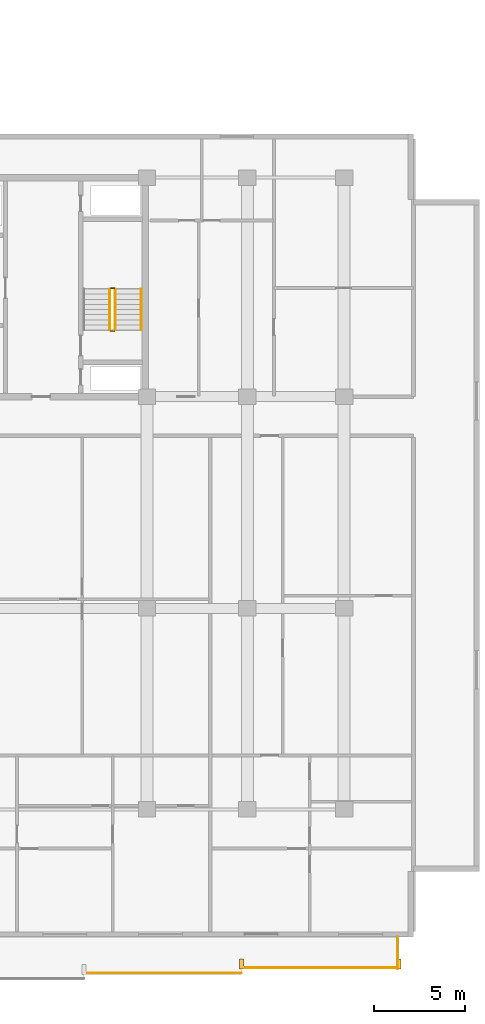
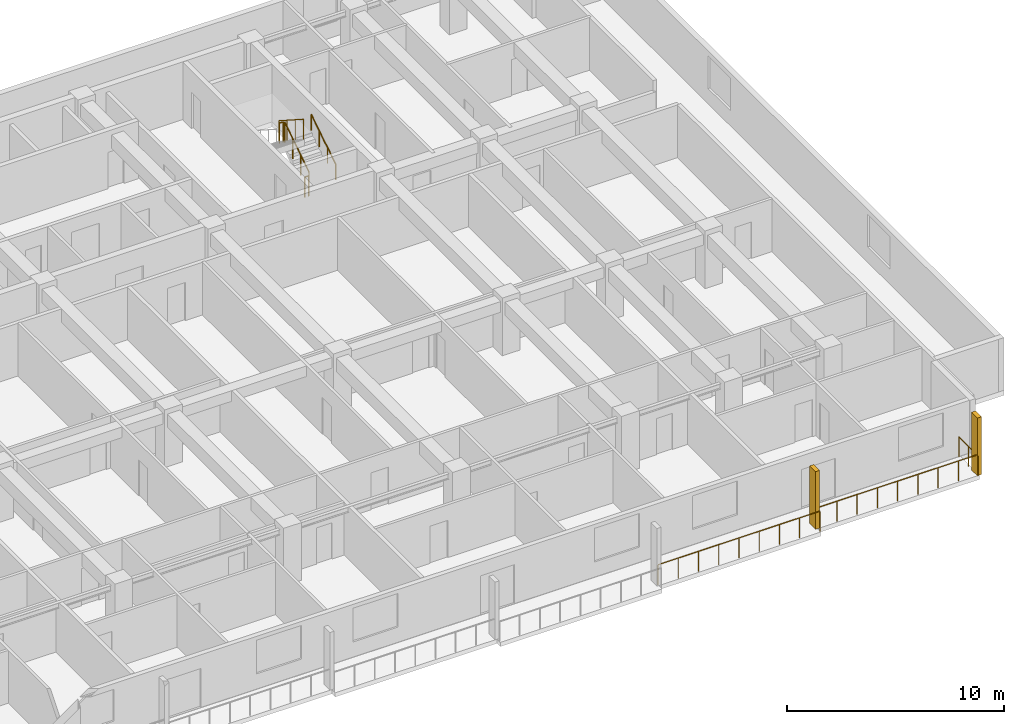
# One storey, part 21 of 23: 8 railings, 2 shading devices.
"""IFC4 building model written with IfcOpenShell, lengths in metres."""

from ifc_helpers import new_model, si_unit, direction, frame, origin, origin_2d, place, context, subcontext, project, spatial, rectangle, circle, extrude, material, type_object, element, save


model = new_model("IFC4")

# Units and contexts
model_context = context("Model", 3, precision=1e-05, world=origin(), true_north=direction((0.0, 1.0)))
body_context = subcontext(model_context, "Body", "Model", "MODEL_VIEW")
ifc_project = project(units=[si_unit("LENGTHUNIT", "METRE"), si_unit("AREAUNIT", "SQUARE_METRE"), si_unit("VOLUMEUNIT", "CUBIC_METRE"), si_unit("PLANEANGLEUNIT", "RADIAN"), si_unit("MASSUNIT", "GRAM", prefix="KILO")], contexts=[model_context])

# Site, building, storey
site_placement = place(None, origin())
site = spatial("IfcSite", under=ifc_project, at=site_placement, CompositionType="ELEMENT")
building_placement = place(site_placement, origin())
building = spatial("IfcBuilding", under=site, at=building_placement, Name="Korimba Cascade Residences", CompositionType="ELEMENT")
storey_placement = place(building_placement, frame((0.0, 0.0, 46.75)))
storey = spatial("IfcBuildingStorey", under=building, at=storey_placement, Name="L12", CompositionType="ELEMENT", Elevation=46.75)

# Railings
ifc_material_1 = material(Name="Laminated Glass and Bronze Balustrade", Category="glass")
railing_type_1 = type_object("IfcRailingType", Name="RLG-LOG-1150", PredefinedType="BALUSTRADE", material=ifc_material_1)
railing_1_placement = place(storey_placement, frame((114.642822265625, -13.169921875, 0.0)))
element("IfcRailing", 1, at=railing_1_placement, inside=storey, type_object=railing_type_1, Name="L12 Perimeter Guardrail RLG-L12-T2-LOG-05", PredefinedType="BALUSTRADE", context=body_context, shape_type="SweptSolid", body=[
    extrude(circle(Radius=0.02392578125, at=origin_2d()), frame((0.0, 0.0, 1.1259765625), z_axis=(1.0, 0.0, 0.0), x_axis=(0.0, 1.0, 0.0)), (0.0, 0.0, 1.0), 8.628662109375),
    extrude(circle(Radius=0.02099609375, at=origin_2d()), origin(), (0.0, 0.0, 1.0), 1.101806640625),
    extrude(circle(Radius=0.02099609375, at=origin_2d()), frame((1.07861328125, 0.0, 0.0)), (0.0, 0.0, 1.0), 1.101806640625),
    extrude(circle(Radius=0.02099609375, at=origin_2d()), frame((2.1572265625, 0.0, 0.0)), (0.0, 0.0, 1.0), 1.101806640625),
    extrude(circle(Radius=0.02099609375, at=origin_2d()), frame((3.23583984375, 0.0, 0.0)), (0.0, 0.0, 1.0), 1.101806640625),
    extrude(circle(Radius=0.02099609375, at=origin_2d()), frame((4.314453125, 0.0, 0.0)), (0.0, 0.0, 1.0), 1.101806640625),
    extrude(circle(Radius=0.02099609375, at=origin_2d()), frame((5.392822265625, 0.0, 0.0)), (0.0, 0.0, 1.0), 1.101806640625),
    extrude(circle(Radius=0.02099609375, at=origin_2d()), frame((6.471435546875, 0.0, 0.0)), (0.0, 0.0, 1.0), 1.101806640625),
    extrude(circle(Radius=0.02099609375, at=origin_2d()), frame((7.550048828125, 0.0, 0.0)), (0.0, 0.0, 1.0), 1.101806640625),
    extrude(circle(Radius=0.02099609375, at=origin_2d()), frame((8.628662109375, 0.0, 0.0)), (0.0, 0.0, 1.0), 1.101806640625),
])
railing_2_placement = place(storey_placement, frame((123.271484375, -12.8701171875, 0.0)))
element("IfcRailing", 2, at=railing_2_placement, inside=storey, type_object=railing_type_1, Name="L12 Perimeter Guardrail RLG-L12-T2-LOG-06", PredefinedType="BALUSTRADE", context=body_context, shape_type="SweptSolid", body=[
    extrude(circle(Radius=0.02392578125, at=origin_2d()), frame((0.0, 0.0, 1.1259765625), z_axis=(1.0, 0.0, 0.0), x_axis=(0.0, 1.0, 0.0)), (0.0, 0.0, 1.0), 8.62841796875),
    extrude(circle(Radius=0.02099609375, at=origin_2d()), origin(), (0.0, 0.0, 1.0), 1.101806640625),
    extrude(circle(Radius=0.02099609375, at=origin_2d()), frame((1.07861328125, 0.0, 0.0)), (0.0, 0.0, 1.0), 1.101806640625),
    extrude(circle(Radius=0.02099609375, at=origin_2d()), frame((2.1572265625, 0.0, 0.0)), (0.0, 0.0, 1.0), 1.101806640625),
    extrude(circle(Radius=0.02099609375, at=origin_2d()), frame((3.235595703125, 0.0, 0.0)), (0.0, 0.0, 1.0), 1.101806640625),
    extrude(circle(Radius=0.02099609375, at=origin_2d()), frame((4.314208984375, 0.0, 0.0)), (0.0, 0.0, 1.0), 1.101806640625),
    extrude(circle(Radius=0.02099609375, at=origin_2d()), frame((5.392822265625, 0.0, 0.0)), (0.0, 0.0, 1.0), 1.101806640625),
    extrude(circle(Radius=0.02099609375, at=origin_2d()), frame((6.47119140625, 0.0, 0.0)), (0.0, 0.0, 1.0), 1.101806640625),
    extrude(circle(Radius=0.02099609375, at=origin_2d()), frame((7.5498046875, 0.0, 0.0)), (0.0, 0.0, 1.0), 1.101806640625),
    extrude(circle(Radius=0.02099609375, at=origin_2d()), frame((8.62841796875, 0.0, 0.0)), (0.0, 0.0, 1.0), 1.101806640625),
])
railing_3_placement = place(storey_placement, frame((131.820068359375, -12.949951171875, 0.0)))
element("IfcRailing", 3, at=railing_3_placement, inside=storey, type_object=railing_type_1, Name="L12 Perimeter Guardrail RLG-L12-T2-LOG-07", PredefinedType="BALUSTRADE", context=body_context, shape_type="SweptSolid", body=[
    extrude(circle(Radius=0.02392578125, at=origin_2d()), frame((0.0, 0.0, 1.1259765625), z_axis=(0.0, 1.0, 0.0), x_axis=(-1.0, 0.0, 0.0)), (0.0, 0.0, 1.0), 1.75),
    extrude(circle(Radius=0.02099609375, at=origin_2d()), origin(), (0.0, 0.0, 1.0), 1.101806640625),
    extrude(circle(Radius=0.02099609375, at=origin_2d()), frame((0.0, 0.875, 0.0)), (0.0, 0.0, 1.0), 1.101806640625),
    extrude(circle(Radius=0.02099609375, at=origin_2d()), frame((0.0, 1.75, 0.0)), (0.0, 0.0, 1.0), 1.101806640625),
])
ifc_material_2 = material(Name="Painted Steel Stairwell Guardrail", Category="steel")
railing_type_2 = type_object("IfcRailingType", Name="RLG-ST-GD1150", PredefinedType="GUARDRAIL", material=ifc_material_2)
railing_4_placement = place(storey_placement, frame((116.3701171875, 22.050048828125, 0.1806640625)))
element("IfcRailing", 4, at=railing_4_placement, inside=storey, type_object=railing_type_2, Name="L12 ST-E2 stair guard 1", PredefinedType="GUARDRAIL", context=body_context, shape_type="SweptSolid", body=[
    extrude(circle(Radius=0.02392578125, at=origin_2d()), frame((0.0, 0.0, 1.1259765625), z_axis=(0.0, 0.840436612492, 0.541909863706), x_axis=(-1.0, 0.0, 0.0)), (0.0, 0.0, 1.0), 2.665283203125),
    extrude(circle(Radius=0.02099609375, at=origin_2d()), origin(), (0.0, 0.0, 1.0), 1.101806640625),
    extrude(circle(Radius=0.02099609375, at=origin_2d()), frame((0.0, 0.74658203125, 0.4814453125)), (0.0, 0.0, 1.0), 1.101806640625),
    extrude(circle(Radius=0.02099609375, at=origin_2d()), frame((0.0, 1.493408203125, 0.962890625)), (0.0, 0.0, 1.0), 1.101806640625),
    extrude(circle(Radius=0.02099609375, at=origin_2d()), frame((0.0, 2.239990234375, 1.4443359375)), (0.0, 0.0, 1.0), 1.101806640625),
])
railing_5_placement = place(storey_placement, frame((116.320068359375, 24.340087890625, 1.625)))
element("IfcRailing", 5, at=railing_5_placement, inside=storey, type_object=railing_type_2, Name="L12 ST-E2 stair guard 2", PredefinedType="GUARDRAIL", context=body_context, shape_type="SweptSolid", body=[
    extrude(circle(Radius=0.02392578125, at=origin_2d()), frame((0.0, 0.0, 1.1259765625), z_axis=(-1.0, 0.0, 0.0), x_axis=(0.0, -1.0, 0.0)), (0.0, 0.0, 1.0), 0.199951171875),
    extrude(circle(Radius=0.02099609375, at=origin_2d()), origin(), (0.0, 0.0, 1.0), 1.101806640625),
    extrude(circle(Radius=0.02099609375, at=origin_2d()), frame((-0.199951171875, 0.0, 0.0)), (0.0, 0.0, 1.0), 1.101806640625),
])
railing_6_placement = place(storey_placement, frame((116.070068359375, 24.2900390625, 1.8056640625)))
element("IfcRailing", 6, at=railing_6_placement, inside=storey, type_object=railing_type_2, Name="L12 ST-E2 stair guard 3", PredefinedType="GUARDRAIL", context=body_context, shape_type="SweptSolid", body=[
    extrude(circle(Radius=0.02392578125, at=origin_2d()), frame((0.0, 0.0, 1.1259765625), z_axis=(0.0, -0.840436612492, 0.541909863706), x_axis=(1.0, 0.0, 0.0)), (0.0, 0.0, 1.0), 2.665283203125),
    extrude(circle(Radius=0.02099609375, at=origin_2d()), origin(), (0.0, 0.0, 1.0), 1.101806640625),
    extrude(circle(Radius=0.02099609375, at=origin_2d()), frame((0.0, -0.74658203125, 0.4814453125)), (0.0, 0.0, 1.0), 1.101806640625),
    extrude(circle(Radius=0.02099609375, at=origin_2d()), frame((0.0, -1.493408203125, 0.962890625)), (0.0, 0.0, 1.0), 1.101806640625),
    extrude(circle(Radius=0.02099609375, at=origin_2d()), frame((0.0, -2.239990234375, 1.4443359375)), (0.0, 0.0, 1.0), 1.101806640625),
])
railing_7_placement = place(storey_placement, frame((116.320068359375, 22.0, 0.0)))
element("IfcRailing", 7, at=railing_7_placement, inside=storey, type_object=railing_type_2, Name="L12 ST-E2 stair guard 4", PredefinedType="GUARDRAIL", context=body_context, shape_type="SweptSolid", body=[
    extrude(circle(Radius=0.02392578125, at=origin_2d()), frame((0.0, 0.0, 1.1259765625), z_axis=(-1.0, 0.0, 0.0), x_axis=(0.0, -1.0, 0.0)), (0.0, 0.0, 1.0), 0.199951171875),
    extrude(circle(Radius=0.02099609375, at=origin_2d()), origin(), (0.0, 0.0, 1.0), 1.101806640625),
    extrude(circle(Radius=0.02099609375, at=origin_2d()), frame((-0.199951171875, 0.0, 0.0)), (0.0, 0.0, 1.0), 1.101806640625),
])
ifc_material_3 = material(Name="Brushed Stainless Steel Handrail", Category="steel")
railing_type_3 = type_object("IfcRailingType", Name="RLG-ST-HR900", PredefinedType="HANDRAIL", material=ifc_material_3)
railing_8_placement = place(storey_placement, frame((117.7900390625, 22.050048828125, 0.364990234375)))
element("IfcRailing", 8, at=railing_8_placement, inside=storey, type_object=railing_type_3, Name="L12 ST-E2 stair handrail 1", PredefinedType="HANDRAIL", context=body_context, shape_type="SweptSolid", body=[
    extrude(circle(Radius=0.02392578125, at=origin_2d()), frame((0.0, 0.0, 0.8759765625), z_axis=(0.0, 0.840436612492, 0.541909863706), x_axis=(-1.0, 0.0, 0.0)), (0.0, 0.0, 1.0), 2.665283203125),
    extrude(circle(Radius=0.02099609375, at=origin_2d()), origin(), (0.0, 0.0, 1.0), 0.851806640625),
    extrude(circle(Radius=0.02099609375, at=origin_2d()), frame((0.0, 0.74658203125, 0.4814453125)), (0.0, 0.0, 1.0), 0.851806640625),
    extrude(circle(Radius=0.02099609375, at=origin_2d()), frame((0.0, 1.493408203125, 0.962890625)), (0.0, 0.0, 1.0), 0.851806640625),
    extrude(circle(Radius=0.02099609375, at=origin_2d()), frame((0.0, 2.239990234375, 1.4443359375)), (0.0, 0.0, 1.0), 0.851806640625),
])

# Shading devices
ifc_material_4 = material(Name="Honed Sandstone Precast Fin", Category="masonry")
shading_device_type = type_object("IfcShadingDeviceType", Name="SHD-FIN-550", PredefinedType="USERDEFINED", material=ifc_material_4)
for number, where, z_axis, x_axis, name in (
    (9, (123.271484375, -12.675048828125, 0.0), (0.0, 0.0, 1.0), (1.0, 0.0, 0.0), "L12 T2 Warm-Stone Loggia Fin 7"),
    (10, (131.89990234375, -12.675048828125, 0.0), (0.0, 0.0, 1.0), (1.0, 0.0, 0.0), "L12 T2 Warm-Stone Loggia Fin 8"),
):
    element("IfcShadingDevice", number, at=place(storey_placement, frame(where, z_axis=z_axis, x_axis=x_axis)), inside=storey, type_object=shading_device_type, Name=name, ObjectType="FIN", PredefinedType="USERDEFINED", context=body_context, shape_type="SweptSolid", body=[
        extrude(rectangle(XDim=0.219970703125, YDim=0.550048828125, at=origin_2d()), origin(), (0.0, 0.0, 1.0), 3.25),
    ])

save(model, "model.ifc")
